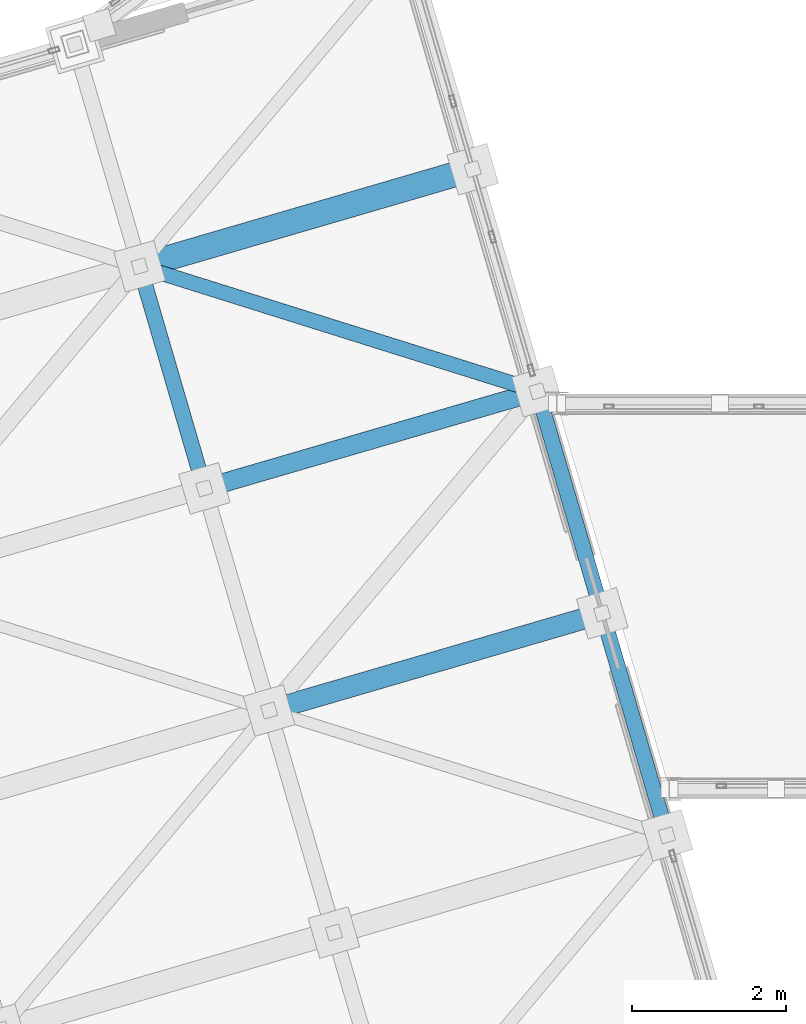
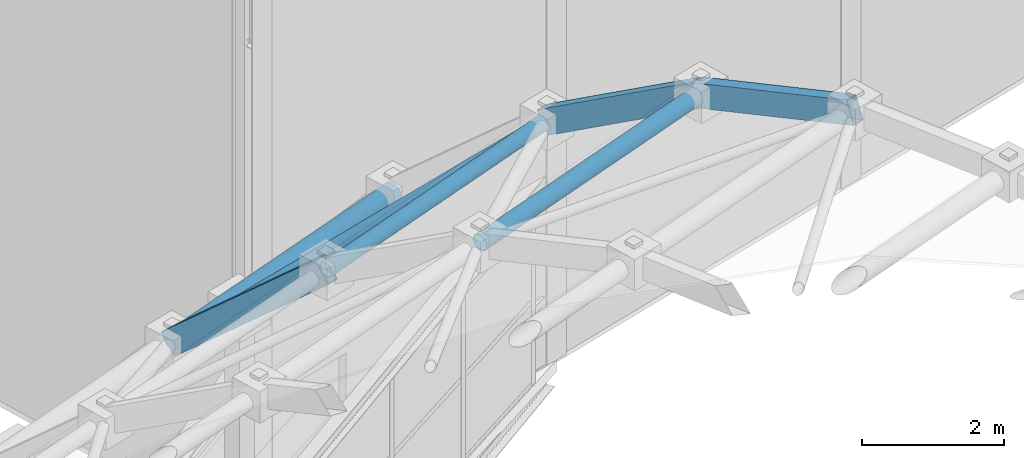
# One storey, part 123 of 248: 4 members, 3 beams.
"""IFC4 building model written with IfcOpenShell, lengths in metres."""

from ifc_helpers import new_model, si_unit, direction, frame, origin, origin_2d, place, context, subcontext, project, spatial, hollow_rectangle, hollow_circle, extrude, material, material_profile, profile_set, type_object, element, save


model = new_model("IFC4")

# Units and contexts
model_context = context("Model", 3, precision=1e-05, world=origin(), true_north=direction((0.0, 1.0)))
body_context = subcontext(model_context, "Body", "Model", "MODEL_VIEW")
ifc_project = project(units=[si_unit("LENGTHUNIT", "METRE"), si_unit("AREAUNIT", "SQUARE_METRE"), si_unit("VOLUMEUNIT", "CUBIC_METRE"), si_unit("PLANEANGLEUNIT", "RADIAN"), si_unit("MASSUNIT", "GRAM", prefix="KILO")], contexts=[model_context])

# Site, building, storey
site_placement = place(None, origin())
site = spatial("IfcSite", under=ifc_project, at=site_placement, CompositionType="ELEMENT")
building_placement = place(site_placement, origin())
building = spatial("IfcBuilding", under=site, at=building_placement, Name="Canggui Botanical Conservatory", CompositionType="ELEMENT")
storey_placement = place(building_placement, frame((0.0, 0.0, 5.39990234375)))
storey = spatial("IfcBuildingStorey", under=building, at=storey_placement, Name="L02", CompositionType="ELEMENT", Elevation=5.39990234375)

# Beams
ifc_material = material(Name="Steel Q355C", Category="steel")
ifc_material_profile_1 = material_profile(ifc_material, hollow_rectangle(XDim=0.199951171875, YDim=0.39990234375, WallThickness=0.011962890625, at=origin_2d()), Name="RHS 200x400x12")
ifc_profile_set_1 = profile_set([ifc_material_profile_1], Name="Steel Q355C")
beam_type = type_object("IfcBeamType", Name="BM-GJ04", PredefinedType="BEAM", material=ifc_profile_set_1)
beam_1_placement = place(storey_placement, frame((60.800048828125, 78.89990234375, 13.044189453125), z_axis=(-0.208553195479, 0.714996235706, -0.66729749556), x_axis=(-0.959995442804, -0.2800156242, 0.0)))
element("IfcBeam", 1, at=beam_1_placement, inside=storey, type_object=beam_type, Name="Conservatory Stepped-Arch Rib GJ-14 Segment 9", PredefinedType="BEAM", context=body_context, shape_type="SweptSolid", body=[
    extrude(hollow_rectangle(XDim=0.199951171875, YDim=0.39990234375, WallThickness=0.011962890625, at=origin_2d()), origin(), (0.0, 0.0, 1.0), 4.028076171875),
])
beam_2_placement = place(storey_placement, frame((66.800048828125, 74.39990234375, 16.416015625), z_axis=(-0.261411067123, 0.896212251917, -0.358424125163), x_axis=(-0.959995442804, -0.2800156242, 0.0)))
element("IfcBeam", 2, at=beam_2_placement, inside=storey, type_object=beam_type, Name="Conservatory Stepped-Arch Rib GJ-15 Segment 7", PredefinedType="BEAM", context=body_context, shape_type="SweptSolid", body=[
    extrude(hollow_rectangle(XDim=0.199951171875, YDim=0.39990234375, WallThickness=0.011962890625, at=origin_2d()), origin(), (0.0, 0.0, 1.0), 3.213623046875),
])
beam_3_placement = place(storey_placement, frame((65.9599609375, 77.280029296875, 15.26416015625), z_axis=(-0.235794911254, 0.808557201497, -0.539106679364), x_axis=(-0.960010937337, -0.279962497833, 0.0)))
element("IfcBeam", 3, at=beam_3_placement, inside=storey, type_object=beam_type, Name="Conservatory Stepped-Arch Rib GJ-15 Segment 8", PredefinedType="BEAM", context=body_context, shape_type="SweptSolid", body=[
    extrude(hollow_rectangle(XDim=0.199951171875, YDim=0.39990234375, WallThickness=0.011962890625, at=origin_2d()), origin(), (0.0, 0.0, 1.0), 3.561767578125),
])

# Members
ifc_material_profile_2 = material_profile(ifc_material, hollow_circle(Radius=0.16259765625, WallThickness=0.011962890625, at=origin_2d()), Name="CHS 325x12")
ifc_profile_set_2 = profile_set([ifc_material_profile_2], Name="Steel Q355C")
member_type_1 = type_object("IfcMemberType", Name="MEM-GSC01", PredefinedType="CHORD", material=ifc_profile_set_2)
member_1_placement = place(storey_placement, frame((59.9599609375, 81.780029296875, 10.356201171875), z_axis=(0.957877180601, 0.279378588815, 0.066474889956), x_axis=(-0.279997916698, 0.960000607627, 0.0)))
element("IfcMember", 4, at=member_1_placement, inside=storey, type_object=member_type_1, Name="Conservatory Gridshell Longitudinal Chord 14-9", PredefinedType="CHORD", context=body_context, shape_type="SweptSolid", body=[
    extrude(hollow_circle(Radius=0.16259765625, WallThickness=0.011962890625, at=origin_2d()), origin(), (0.0, 0.0, 1.0), 4.510009765625),
])
ifc_material_profile_3 = material_profile(ifc_material, hollow_circle(Radius=0.136474609375, WallThickness=0.010009765625, at=origin_2d()), Name="CHS 273x10")
ifc_profile_set_3 = profile_set([ifc_material_profile_3], Name="Steel Q355C")
member_type_2 = type_object("IfcMemberType", Name="MEM-GSC03", PredefinedType="CHORD", material=ifc_profile_set_3)
member_2_placement = place(storey_placement, frame((61.639892578125, 76.02001953125, 14.964111328125), z_axis=(0.957873732332, 0.279377583078, 0.066528783105), x_axis=(-0.279997916698, 0.960000607627, 0.0)))
element("IfcMember", 5, at=member_2_placement, inside=storey, type_object=member_type_2, Name="Conservatory Gridshell Longitudinal Chord 14-7", PredefinedType="CHORD", context=body_context, shape_type="SweptSolid", body=[
    extrude(hollow_circle(Radius=0.136474609375, WallThickness=0.010009765625, at=origin_2d()), origin(), (0.0, 0.0, 1.0), 4.510009765625),
])
ifc_material_profile_4 = material_profile(ifc_material, hollow_circle(Radius=0.12255859375, WallThickness=0.010009765625, at=origin_2d()), Name="CHS 245x10")
ifc_profile_set_4 = profile_set([ifc_material_profile_4], Name="Steel Q355C")
member_type_3 = type_object("IfcMemberType", Name="MEM-GSC04", PredefinedType="CHORD", material=ifc_profile_set_4)
member_3_placement = place(storey_placement, frame((60.800048828125, 78.89990234375, 13.044189453125), z_axis=(0.957877180601, 0.279378588815, 0.066474889956), x_axis=(-0.279997916698, 0.960000607627, 0.0)))
element("IfcMember", 6, at=member_3_placement, inside=storey, type_object=member_type_3, Name="Conservatory Gridshell Longitudinal Chord 14-8", PredefinedType="CHORD", context=body_context, shape_type="SweptSolid", body=[
    extrude(hollow_circle(Radius=0.12255859375, WallThickness=0.010009765625, at=origin_2d()), origin(), (0.0, 0.0, 1.0), 4.510009765625),
])
ifc_material_profile_5 = material_profile(ifc_material, hollow_circle(Radius=0.096923828125, WallThickness=0.008056640625, at=origin_2d()), Name="CHS 194x8")
ifc_profile_set_5 = profile_set([ifc_material_profile_5], Name="Steel Q355C")
member_type_4 = type_object("IfcMemberType", Name="MEM-GSD02", PredefinedType="RAFTER", material=ifc_profile_set_5)
member_4_placement = place(storey_placement, frame((59.9599609375, 81.780029296875, 10.356201171875), z_axis=(0.835124360069, -0.262201232656, 0.483547119537), x_axis=(0.299549572909, 0.954080737343, 0.0)))
element("IfcMember", 7, at=member_4_placement, inside=storey, type_object=member_type_4, Name="Conservatory Gridshell Diagrid Rafter 14-9", PredefinedType="RAFTER", context=body_context, shape_type="SweptSolid", body=[
    extrude(hollow_circle(Radius=0.096923828125, WallThickness=0.008056640625, at=origin_2d()), origin(), (0.0, 0.0, 1.0), 6.178955078125),
])

save(model, "model.ifc")
